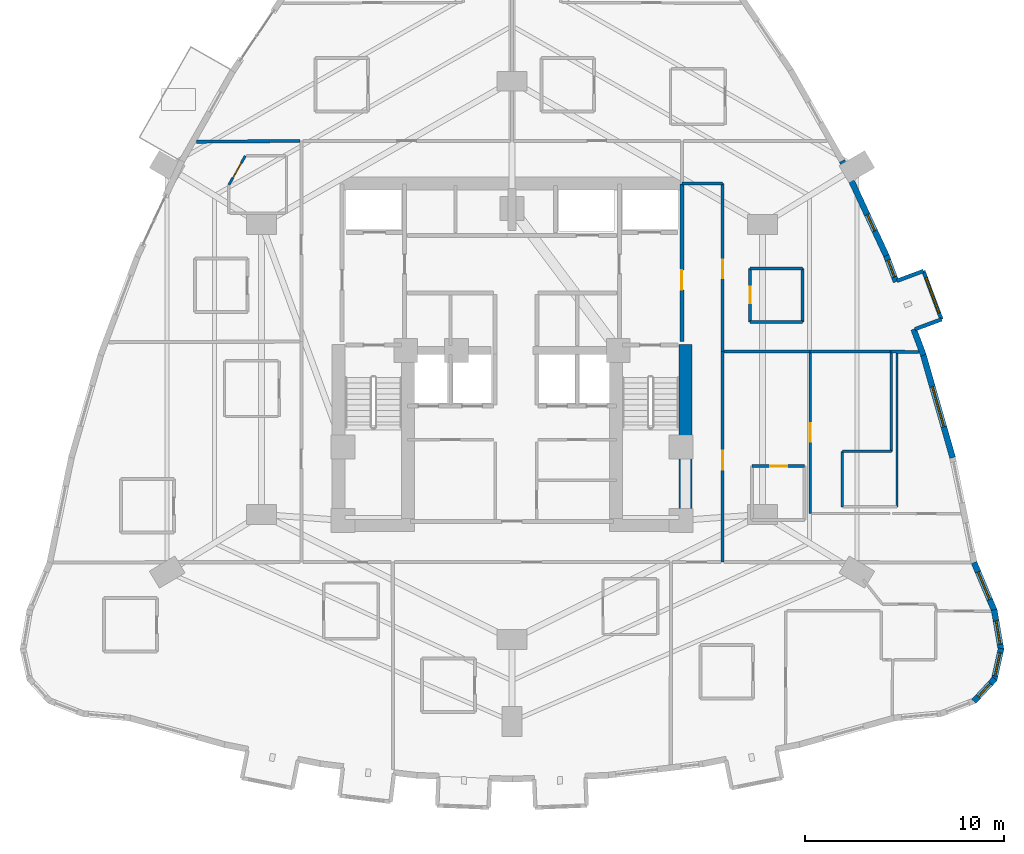
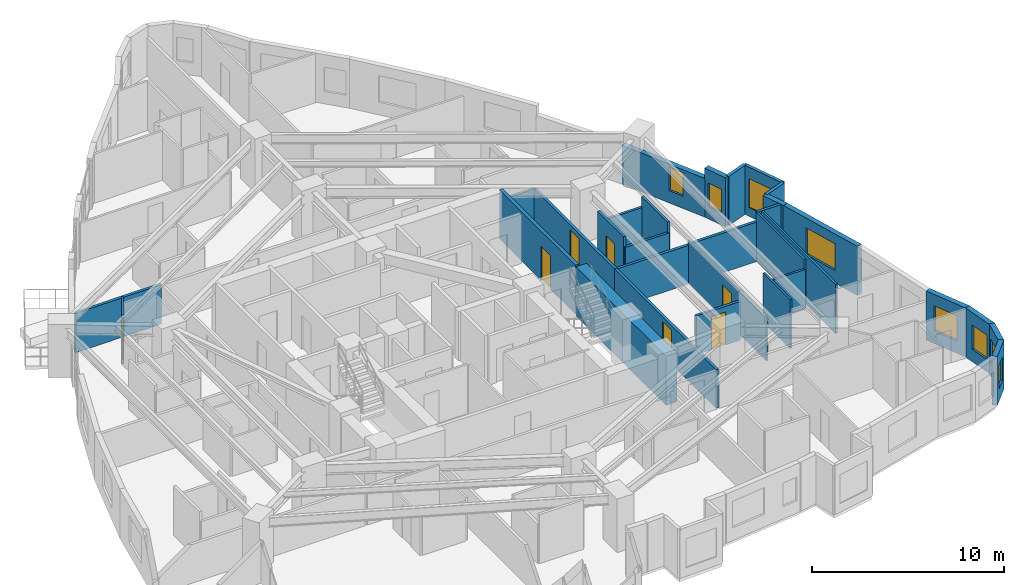
# One storey, part 14 of 17: 31 walls, 8 windows, 7 doors, 15 openings.
"""IFC4 building model written with IfcOpenShell, lengths in metres."""

from ifc_helpers import new_model, si_unit, direction, frame, frame_2d, origin, place, context, subcontext, project, spatial, rectangle, extrude, material, layer, layer_set, type_object, element, fill, save


model = new_model("IFC4")

# Units and contexts
model_context = context("Model", 3, precision=1e-05, world=origin(), true_north=direction((0.0, 1.0)))
body_context = subcontext(model_context, "Body", "Model", "MODEL_VIEW")
ifc_project = project(units=[si_unit("LENGTHUNIT", "METRE"), si_unit("AREAUNIT", "SQUARE_METRE"), si_unit("VOLUMEUNIT", "CUBIC_METRE"), si_unit("PLANEANGLEUNIT", "RADIAN"), si_unit("MASSUNIT", "GRAM", prefix="KILO")], contexts=[model_context])

# Site, building, storey
site_placement = place(None, origin())
site = spatial("IfcSite", under=ifc_project, at=site_placement, CompositionType="ELEMENT")
building_placement = place(site_placement, origin())
building = spatial("IfcBuilding", under=site, at=building_placement, Name="Miruveldt Soraemaru", CompositionType="ELEMENT")
storey_placement = place(building_placement, frame((0.0, 0.0, 53.0)))
storey = spatial("IfcBuildingStorey", under=building, at=storey_placement, Name="L14", CompositionType="ELEMENT", Elevation=53.0)

# Walls
ifc_material_1 = material(Name="White powder-coated aluminium EN AW-6060 T6", Category="aluminium")
ifc_layer_1 = layer(ifc_material_1, 0.18994140625, Name="White powder-coated aluminium EN AW-6060 T6", Category="aluminium")
ifc_layer_set_1 = layer_set([ifc_layer_1], Name="White powder-coated aluminium EN AW-6060 T6")
wall_type_1 = type_object("IfcWallType", Name="WALL-BAY-ALU190", PredefinedType="SOLIDWALL", material=ifc_layer_set_1)
for number, where, z_axis, x_axis, name in (
    (1, (64.279296875, 45.11962890625, 0.0), (0.0, 0.0, 1.0), (0.937073323404, 0.34913262031, 0.0), "L14 Bay Window Side Cheek 6L"),
    (2, (64.707275390625, 48.053466796875, 0.0), (0.0, 0.0, 1.0), (-0.937129361406, -0.348982177182, 0.0), "L14 Bay Window Side Cheek 6R"),
):
    element("IfcWall", number, at=place(storey_placement, frame(where, z_axis=z_axis, x_axis=x_axis)), inside=storey, type_object=wall_type_1, Name=name, PredefinedType="SOLIDWALL", context=body_context, shape_type="SweptSolid", body=[
        extrude(rectangle(XDim=1.425048828125, YDim=0.18994140625, at=frame_2d((0.71240234375, 0.0))), origin(), (0.0, 0.0, 1.0), 3.125),
    ])

# Wall, opening, window
wall_1_placement = place(storey_placement, frame((65.61474609375, 45.6171875, 0.0), z_axis=(0.0, 0.0, 1.0), x_axis=(-0.349054047709, 0.937102594051, 0.0)))
wall_1 = element("IfcWall", 3, at=wall_1_placement, inside=storey, type_object=wall_type_1, Name="L14 Bay Window Front Frame 6", PredefinedType="SOLIDWALL", context=body_context, shape_type="SweptSolid", body=[
    extrude(rectangle(XDim=2.599853515625, YDim=0.18994140625, at=frame_2d((1.2998046875, 0.0))), origin(), (0.0, 0.0, 1.0), 3.125),
])
opening_1_placement = place(wall_1_placement, frame((0.35009765625, 0.0, 0.550048828125)))
opening_1 = element("IfcOpeningElement", 4, at=opening_1_placement, cuts=wall_1, Name="Opening WN-6", PredefinedType="OPENING", context=body_context, shape_type="SweptSolid", body=[
    extrude(rectangle(XDim=1.89990234375, YDim=1.85009765625, at=frame_2d((0.949951171875, 0.925048828125))), frame((0.0, 0.10498046875, 0.0), z_axis=(0.0, -1.0, 0.0), x_axis=(1.0, 0.0, 0.0)), (0.0, 0.0, 1.0), 0.2099609375),
])
ifc_material_2 = material(Name="Triple low-e insulated glazing", Category="glass")
window_type_1 = type_object("IfcWindowType", Name="WIN-BAYW-1900x1850", PartitioningType="SINGLE_PANEL", PredefinedType="WINDOW", material=ifc_material_2)
window_1_placement = place(opening_1_placement, origin())
window_1 = element("IfcWindow", 5, at=window_1_placement, inside=storey, type_object=window_type_1, Name="L14 Projecting Bay Window 6", OverallHeight=1.85009765625, OverallWidth=1.89990234375, PartitioningType="SINGLE_PANEL", PredefinedType="WINDOW", context=body_context, shape_type="SweptSolid", body=[
    extrude(rectangle(XDim=1.89990234375, YDim=1.85009765625, at=frame_2d((0.949951171875, 0.925048828125))), frame((0.0, 0.030029296875, 0.0), z_axis=(0.0, -1.0, 0.0), x_axis=(1.0, 0.0, 0.0)), (0.0, 0.0, 1.0), 0.06005859375),
])
fill(opening_1, window_1)

# Wall
ifc_material_3 = material(Name="Concrete C80/95 (80 MPa)", Category="concrete")
ifc_layer_2 = layer(ifc_material_3, 0.64990234375, Name="Concrete C80/95 (80 MPa)", Category="concrete")
ifc_layer_set_2 = layer_set([ifc_layer_2], Name="Concrete C80/95 (80 MPa)")
wall_type_2 = type_object("IfcWallType", Name="WALL-CW-650", PredefinedType="SHEAR", material=ifc_layer_set_2)
wall_2_placement = place(storey_placement, frame((52.72509765625, 34.949951171875, 0.0), z_axis=(0.0, 0.0, 1.0), x_axis=(0.0, 1.0, 0.0)))
element("IfcWall", 6, at=wall_2_placement, inside=storey, type_object=wall_type_2, Name="L14 Central Core Shear Wall E1", PredefinedType="SHEAR", context=body_context, shape_type="SweptSolid", body=[
    extrude(rectangle(XDim=9.400146484375, YDim=0.64990234375, at=frame_2d((4.7001953125, 0.0))), origin(), (0.0, 0.0, 1.0), 3.125),
])

# Wall, opening, window
ifc_material_4 = material(Name="Precast concrete C45/55 (45 MPa)", Category="concrete")
ifc_layer_3 = layer(ifc_material_4, 0.300048828125, Name="Precast concrete C45/55 (45 MPa)", Category="concrete")
ifc_layer_set_3 = layer_set([ifc_layer_3], Name="Precast concrete C45/55 (45 MPa)")
wall_type_3 = type_object("IfcWallType", Name="WALL-EXT-PC300", PredefinedType="SOLIDWALL", material=ifc_layer_set_3)
wall_3_placement = place(storey_placement, frame((67.245849609375, 26.39599609375, 0.0), z_axis=(0.0, 0.0, 1.0), x_axis=(0.680166423381, 0.733057730677, 0.0)))
wall_3 = element("IfcWall", 7, at=wall_3_placement, inside=storey, type_object=wall_type_3, Name="L14 Precast Concrete Facade Wall 31", PredefinedType="SOLIDWALL", context=body_context, shape_type="SweptSolid", body=[
    extrude(rectangle(XDim=1.54638671875, YDim=0.300048828125, at=frame_2d((0.773193359375, 0.0))), origin(), (0.0, 0.0, 1.0), 3.125),
])
opening_2_placement = place(wall_3_placement, frame((0.322998046875, 0.0, 0.780029296875)))
opening_2 = element("IfcOpeningElement", 8, at=opening_2_placement, cuts=wall_3, Name="Opening WN-7", PredefinedType="OPENING", context=body_context, shape_type="SweptSolid", body=[
    extrude(rectangle(XDim=0.89990234375, YDim=1.5, at=frame_2d((0.449951171875, 0.75))), frame((0.0, 0.16015625, 0.0), z_axis=(0.0, -1.0, 0.0), x_axis=(1.0, 0.0, 0.0)), (0.0, 0.0, 1.0), 0.320068359375),
])
window_type_2 = type_object("IfcWindowType", Name="WIN-PUNCH-900x1500", PartitioningType="SINGLE_PANEL", PredefinedType="WINDOW", material=ifc_material_2)
window_2_placement = place(opening_2_placement, origin())
window_2 = element("IfcWindow", 9, at=window_2_placement, inside=storey, type_object=window_type_2, Name="L14 Punched Triple-Glazed Window 31.1", OverallHeight=1.5, OverallWidth=0.89990234375, PartitioningType="SINGLE_PANEL", PredefinedType="WINDOW", context=body_context, shape_type="SweptSolid", body=[
    extrude(rectangle(XDim=0.89990234375, YDim=1.5, at=frame_2d((0.449951171875, 0.75))), frame((0.0, 0.030029296875, 0.0), z_axis=(0.0, -1.0, 0.0), x_axis=(1.0, 0.0, 0.0)), (0.0, 0.0, 1.0), 0.06005859375),
])
fill(opening_2, window_2)

wall_4_placement = place(storey_placement, frame((68.26611328125, 27.469482421875, 0.0), z_axis=(0.0, 0.0, 1.0), x_axis=(0.21573476975, 0.976452000418, 0.0)))
wall_4 = element("IfcWall", 10, at=wall_4_placement, inside=storey, type_object=wall_type_3, Name="L14 Precast Concrete Facade Wall 32", PredefinedType="SOLIDWALL", context=body_context, shape_type="SweptSolid", body=[
    extrude(rectangle(XDim=1.62158203125, YDim=0.300048828125, at=frame_2d((0.810791015625, 0.0))), origin(), (0.0, 0.0, 1.0), 3.125),
])
opening_3_placement = place(wall_4_placement, frame((0.2109375, 0.0, 0.780029296875)))
opening_3 = element("IfcOpeningElement", 11, at=opening_3_placement, cuts=wall_4, Name="Opening WN-4", PredefinedType="OPENING", context=body_context, shape_type="SweptSolid", body=[
    extrude(rectangle(XDim=1.199951171875, YDim=1.550048828125, at=frame_2d((0.60009765625, 0.77490234375))), frame((0.0, 0.16015625, 0.0), z_axis=(0.0, -1.0, 0.0), x_axis=(1.0, 0.0, 0.0)), (0.0, 0.0, 1.0), 0.320068359375),
])
window_type_3 = type_object("IfcWindowType", Name="WIN-PUNCH-1200x1550", PartitioningType="SINGLE_PANEL", PredefinedType="WINDOW", material=ifc_material_2)
window_3_placement = place(opening_3_placement, origin())
window_3 = element("IfcWindow", 12, at=window_3_placement, inside=storey, type_object=window_type_3, Name="L14 Punched Triple-Glazed Window 32.1", OverallHeight=1.550048828125, OverallWidth=1.199951171875, PartitioningType="SINGLE_PANEL", PredefinedType="WINDOW", context=body_context, shape_type="SweptSolid", body=[
    extrude(rectangle(XDim=1.199951171875, YDim=1.550048828125, at=frame_2d((0.60009765625, 0.77490234375))), frame((0.0, 0.030029296875, 0.0), z_axis=(0.0, -1.0, 0.0), x_axis=(1.0, 0.0, 0.0)), (0.0, 0.0, 1.0), 0.06005859375),
])
fill(opening_3, window_3)

wall_5_placement = place(storey_placement, frame((68.6142578125, 28.984375, 0.0), z_axis=(0.0, 0.0, 1.0), x_axis=(-0.169291630141, 0.98556600183, 0.0)))
wall_5 = element("IfcWall", 13, at=wall_5_placement, inside=storey, type_object=wall_type_3, Name="L14 Precast Concrete Facade Wall 33", PredefinedType="SOLIDWALL", context=body_context, shape_type="SweptSolid", body=[
    extrude(rectangle(XDim=2.04638671875, YDim=0.300048828125, at=frame_2d((1.023193359375, 0.0))), origin(), (0.0, 0.0, 1.0), 3.125),
])
opening_4_placement = place(wall_5_placement, frame((0.27587890625, 0.0, 0.780029296875)))
opening_4 = element("IfcOpeningElement", 14, at=opening_4_placement, cuts=wall_5, Name="Opening WN-4", PredefinedType="OPENING", context=body_context, shape_type="SweptSolid", body=[
    extrude(rectangle(XDim=1.199951171875, YDim=1.550048828125, at=frame_2d((0.60009765625, 0.77490234375))), frame((0.0, 0.16015625, 0.0), z_axis=(0.0, -1.0, 0.0), x_axis=(1.0, 0.0, 0.0)), (0.0, 0.0, 1.0), 0.320068359375),
])
window_4_placement = place(opening_4_placement, origin())
window_4 = element("IfcWindow", 15, at=window_4_placement, inside=storey, type_object=window_type_3, Name="L14 Punched Triple-Glazed Window 33.1", OverallHeight=1.550048828125, OverallWidth=1.199951171875, PartitioningType="SINGLE_PANEL", PredefinedType="WINDOW", context=body_context, shape_type="SweptSolid", body=[
    extrude(rectangle(XDim=1.199951171875, YDim=1.550048828125, at=frame_2d((0.60009765625, 0.77490234375))), frame((0.0, 0.030029296875, 0.0), z_axis=(0.0, -1.0, 0.0), x_axis=(1.0, 0.0, 0.0)), (0.0, 0.0, 1.0), 0.06005859375),
])
fill(opening_4, window_4)

wall_6_placement = place(storey_placement, frame((68.287353515625, 30.9345703125, 0.0), z_axis=(0.0, 0.0, 1.0), x_axis=(-0.388616300532, 0.921399680356, 0.0)))
wall_6 = element("IfcWall", 16, at=wall_6_placement, inside=storey, type_object=wall_type_3, Name="L14 Precast Concrete Facade Wall 34", PredefinedType="SOLIDWALL", context=body_context, shape_type="SweptSolid", body=[
    extrude(rectangle(XDim=2.653564453125, YDim=0.300048828125, at=frame_2d((1.32666015625, 0.0))), origin(), (0.0, 0.0, 1.0), 3.125),
])
opening_5_placement = place(wall_6_placement, frame((0.636962890625, 0.0, 0.800048828125)))
opening_5 = element("IfcOpeningElement", 17, at=opening_5_placement, cuts=wall_6, Name="Opening WN-3", PredefinedType="OPENING", context=body_context, shape_type="SweptSolid", body=[
    extrude(rectangle(XDim=1.5, YDim=1.60009765625, at=frame_2d((0.75, 0.800048828125))), frame((0.0, 0.16015625, 0.0), z_axis=(0.0, -1.0, 0.0), x_axis=(1.0, 0.0, 0.0)), (0.0, 0.0, 1.0), 0.320068359375),
])
window_type_4 = type_object("IfcWindowType", Name="WIN-PUNCH-1500x1600", PartitioningType="SINGLE_PANEL", PredefinedType="WINDOW", material=ifc_material_2)
window_5_placement = place(opening_5_placement, origin())
window_5 = element("IfcWindow", 18, at=window_5_placement, inside=storey, type_object=window_type_4, Name="L14 Punched Triple-Glazed Window 34.1", OverallHeight=1.60009765625, OverallWidth=1.5, PartitioningType="SINGLE_PANEL", PredefinedType="WINDOW", context=body_context, shape_type="SweptSolid", body=[
    extrude(rectangle(XDim=1.5, YDim=1.60009765625, at=frame_2d((0.75, 0.800048828125))), frame((0.0, 0.030029296875, 0.0), z_axis=(0.0, -1.0, 0.0), x_axis=(1.0, 0.0, 0.0)), (0.0, 0.0, 1.0), 0.06005859375),
])
fill(opening_5, window_5)

wall_7_placement = place(storey_placement, frame((66.1796875, 38.65625, 0.0), z_axis=(0.0, 0.0, 1.0), x_axis=(-0.274929090482, 0.961464505432, 0.0)))
wall_7 = element("IfcWall", 19, at=wall_7_placement, inside=storey, type_object=wall_type_3, Name="L14 Precast Concrete Facade Wall 36", PredefinedType="SOLIDWALL", context=body_context, shape_type="SweptSolid", body=[
    extrude(rectangle(XDim=5.4267578125, YDim=0.300048828125, at=frame_2d((2.71337890625, 0.0))), origin(), (0.0, 0.0, 1.0), 3.125),
])
opening_6_placement = place(wall_7_placement, frame((1.618896484375, 0.0, 0.800048828125)))
opening_6 = element("IfcOpeningElement", 20, at=opening_6_placement, cuts=wall_7, Name="Opening WN-1", PredefinedType="OPENING", context=body_context, shape_type="SweptSolid", body=[
    extrude(rectangle(XDim=2.10009765625, YDim=1.699951171875, at=frame_2d((1.050048828125, 0.85009765625))), frame((0.0, 0.16015625, 0.0), z_axis=(0.0, -1.0, 0.0), x_axis=(1.0, 0.0, 0.0)), (0.0, 0.0, 1.0), 0.320068359375),
])
window_type_5 = type_object("IfcWindowType", Name="WIN-PUNCH-2100x1700", PartitioningType="SINGLE_PANEL", PredefinedType="WINDOW", material=ifc_material_2)
window_6_placement = place(opening_6_placement, origin())
window_6 = element("IfcWindow", 21, at=window_6_placement, inside=storey, type_object=window_type_5, Name="L14 Punched Triple-Glazed Window 36.1", OverallHeight=1.699951171875, OverallWidth=2.10009765625, PartitioningType="SINGLE_PANEL", PredefinedType="WINDOW", context=body_context, shape_type="SweptSolid", body=[
    extrude(rectangle(XDim=2.10009765625, YDim=1.699951171875, at=frame_2d((1.050048828125, 0.85009765625))), frame((0.0, 0.030029296875, 0.0), z_axis=(0.0, -1.0, 0.0), x_axis=(1.0, 0.0, 0.0)), (0.0, 0.0, 1.0), 0.06005859375),
])
fill(opening_6, window_6)

# Wall
wall_8_placement = place(storey_placement, frame((64.70947265625, 43.80712890625, 0.0), z_axis=(0.0, 0.0, 1.0), x_axis=(-0.349016615003, 0.937116536217, 0.0)))
element("IfcWall", 22, at=wall_8_placement, inside=storey, type_object=wall_type_3, Name="L14 Precast Pier Wall 37A", PredefinedType="SOLIDWALL", context=body_context, shape_type="SweptSolid", body=[
    extrude(rectangle(XDim=1.41015625, YDim=0.300048828125, at=frame_2d((0.705078125, 0.0))), origin(), (0.0, 0.0, 1.0), 3.125),
])

# Wall, opening, window
wall_9_placement = place(storey_placement, frame((63.330810546875, 47.5087890625, 0.0), z_axis=(0.0, 0.0, 1.0), x_axis=(-0.349073246867, 0.937095442483, 0.0)))
wall_9 = element("IfcWall", 23, at=wall_9_placement, inside=storey, type_object=wall_type_3, Name="L14 Precast Pier Wall 37B", PredefinedType="SOLIDWALL", context=body_context, shape_type="SweptSolid", body=[
    extrude(rectangle(XDim=1.409912109375, YDim=0.300048828125, at=frame_2d((0.705078125, 0.0))), origin(), (0.0, 0.0, 1.0), 3.125),
])
opening_7_placement = place(wall_9_placement, frame((0.2548828125, 0.0, 0.780029296875)))
opening_7 = element("IfcOpeningElement", 24, at=opening_7_placement, cuts=wall_9, Name="Opening WN-7", PredefinedType="OPENING", context=body_context, shape_type="SweptSolid", body=[
    extrude(rectangle(XDim=0.89990234375, YDim=1.5, at=frame_2d((0.449951171875, 0.75))), frame((0.0, 0.16015625, 0.0), z_axis=(0.0, -1.0, 0.0), x_axis=(1.0, 0.0, 0.0)), (0.0, 0.0, 1.0), 0.320068359375),
])
window_7_placement = place(opening_7_placement, origin())
window_7 = element("IfcWindow", 25, at=window_7_placement, inside=storey, type_object=window_type_2, Name="L14 Punched Triple-Glazed Window 37B.1", OverallHeight=1.5, OverallWidth=0.89990234375, PartitioningType="SINGLE_PANEL", PredefinedType="WINDOW", context=body_context, shape_type="SweptSolid", body=[
    extrude(rectangle(XDim=0.89990234375, YDim=1.5, at=frame_2d((0.449951171875, 0.75))), frame((0.0, 0.030029296875, 0.0), z_axis=(0.0, -1.0, 0.0), x_axis=(1.0, 0.0, 0.0)), (0.0, 0.0, 1.0), 0.06005859375),
])
fill(opening_7, window_7)

wall_10_placement = place(storey_placement, frame((62.86572265625, 48.765625, 0.0), z_axis=(0.0, 0.0, 1.0), x_axis=(-0.422310787564, 0.906451101112, 0.0)))
wall_10 = element("IfcWall", 26, at=wall_10_placement, inside=storey, type_object=wall_type_3, Name="L14 Precast Concrete Facade Wall 38", PredefinedType="SOLIDWALL", context=body_context, shape_type="SweptSolid", body=[
    extrude(rectangle(XDim=5.32666015625, YDim=0.300048828125, at=frame_2d((2.663330078125, 0.0))), origin(), (0.0, 0.0, 1.0), 2.462890625),
])
opening_8_placement = place(wall_10_placement, frame((1.43896484375, 0.0, 0.780029296875)))
opening_8 = element("IfcOpeningElement", 27, at=opening_8_placement, cuts=wall_10, Name="Opening WN-7", PredefinedType="OPENING", context=body_context, shape_type="SweptSolid", body=[
    extrude(rectangle(XDim=0.89990234375, YDim=1.5, at=frame_2d((0.449951171875, 0.75))), frame((0.0, 0.16015625, 0.0), z_axis=(0.0, -1.0, 0.0), x_axis=(1.0, 0.0, 0.0)), (0.0, 0.0, 1.0), 0.320068359375),
])
window_8_placement = place(opening_8_placement, origin())
window_8 = element("IfcWindow", 28, at=window_8_placement, inside=storey, type_object=window_type_2, Name="L14 Punched Triple-Glazed Window 38.1", OverallHeight=1.5, OverallWidth=0.89990234375, PartitioningType="SINGLE_PANEL", PredefinedType="WINDOW", context=body_context, shape_type="SweptSolid", body=[
    extrude(rectangle(XDim=0.89990234375, YDim=1.5, at=frame_2d((0.449951171875, 0.75))), frame((0.0, 0.030029296875, 0.0), z_axis=(0.0, -1.0, 0.0), x_axis=(1.0, 0.0, 0.0)), (0.0, 0.0, 1.0), 0.06005859375),
])
fill(opening_8, window_8)

# Wall, opening, door
ifc_material_5 = material(Name="Gypsum plasterboard lining", Category="gypsum")
ifc_layer_4 = layer(ifc_material_5, 0.1201171875, Name="Gypsum plasterboard lining", Category="gypsum")
ifc_layer_set_4 = layer_set([ifc_layer_4], Name="Gypsum plasterboard lining")
wall_type_4 = type_object("IfcWallType", Name="WALL-INT-P120", PredefinedType="PARTITIONING", material=ifc_layer_set_4)
wall_11_placement = place(storey_placement, frame((59.001953125, 35.85009765625, 0.0), z_axis=(0.0, 0.0, 1.0), x_axis=(0.0, 1.0, 0.0)))
wall_11 = element("IfcWall", 29, at=wall_11_placement, inside=storey, type_object=wall_type_4, Name="L14 Partition Wall 67", PredefinedType="PARTITIONING", context=body_context, shape_type="SweptSolid", body=[
    extrude(rectangle(XDim=8.14990234375, YDim=0.1201171875, at=frame_2d((4.074951171875, 0.0))), origin(), (0.0, 0.0, 1.0), 2.712890625),
])
opening_9_placement = place(wall_11_placement, frame((3.614990234375, 0.0, 0.0)))
opening_9 = element("IfcOpeningElement", 30, at=opening_9_placement, cuts=wall_11, Name="Opening D3A", PredefinedType="OPENING", context=body_context, shape_type="SweptSolid", body=[
    extrude(rectangle(XDim=0.919921875, YDim=2.10009765625, at=frame_2d((0.4599609375, 1.050048828125))), frame((0.0, 0.070068359375, 0.0), z_axis=(0.0, -1.0, 0.0), x_axis=(1.0, 0.0, 0.0)), (0.0, 0.0, 1.0), 0.14013671875),
])
ifc_material_6 = material(Name="Anodised aluminium EN AW-6063 T6", Category="aluminium")
door_type_1 = type_object("IfcDoorType", Name="DOOR-INT-920", OperationType="NOTDEFINED", PredefinedType="DOOR", material=ifc_material_6)
door_1_placement = place(opening_9_placement, origin())
door_1 = element("IfcDoor", 31, at=door_1_placement, inside=storey, type_object=door_type_1, Name="L14 Unit 1405 BD1 Door", OperationType="SINGLE_SWING_RIGHT", OverallHeight=2.10009765625, OverallWidth=0.919921875, PredefinedType="DOOR", context=body_context, shape_type="SweptSolid", body=[
    extrude(rectangle(XDim=0.919921875, YDim=2.10009765625, at=frame_2d((0.4599609375, 1.050048828125))), frame((0.0, 0.02490234375, 0.0), z_axis=(0.0, -1.0, 0.0), x_axis=(1.0, 0.0, 0.0)), (0.0, 0.0, 1.0), 0.050048828125),
])
fill(opening_9, door_1)

wall_12_placement = place(storey_placement, frame((29.75, 52.388916015625, 0.0), z_axis=(0.0, 0.0, 1.0), x_axis=(0.493507485386, 0.869741548891, 0.0)))
wall_12 = element("IfcWall", 32, at=wall_12_placement, inside=storey, type_object=wall_type_4, Name="L14 Partition Wall 49", PredefinedType="PARTITIONING", context=body_context, shape_type="SweptSolid", body=[
    extrude(rectangle(XDim=1.679931640625, YDim=0.1201171875, at=frame_2d((0.83984375, 0.0))), origin(), (0.0, 0.0, 1.0), 3.125),
])
opening_10_placement = place(wall_12_placement, frame((0.409912109375, 0.0, 0.0)))
opening_10 = element("IfcOpeningElement", 33, at=opening_10_placement, cuts=wall_12, Name="Opening FD3", PredefinedType="OPENING", context=body_context, shape_type="SweptSolid", body=[
    extrude(rectangle(XDim=0.85009765625, YDim=2.10009765625, at=frame_2d((0.425048828125, 1.050048828125))), frame((0.0, 0.070068359375, 0.0), z_axis=(0.0, -1.0, 0.0), x_axis=(1.0, 0.0, 0.0)), (0.0, 0.0, 1.0), 0.14013671875),
])
door_type_2 = type_object("IfcDoorType", Name="DOOR-FD3-850", OperationType="NOTDEFINED", PredefinedType="DOOR", material=ifc_material_6)
door_2_placement = place(opening_10_placement, origin())
door_2 = element("IfcDoor", 34, at=door_2_placement, inside=storey, type_object=door_type_2, Name="L14 Unit 1403 KIT Door", OperationType="SINGLE_SWING_RIGHT", OverallHeight=2.10009765625, OverallWidth=0.85009765625, PredefinedType="DOOR", context=body_context, shape_type="SweptSolid", body=[
    extrude(rectangle(XDim=0.85009765625, YDim=2.10009765625, at=frame_2d((0.425048828125, 1.050048828125))), frame((0.0, 0.02490234375, 0.0), z_axis=(0.0, -1.0, 0.0), x_axis=(1.0, 0.0, 0.0)), (0.0, 0.0, 1.0), 0.050048828125),
])
fill(opening_10, door_2)

# Walls
wall_13_placement = place(storey_placement, frame((63.3798828125, 36.179931640625, 0.0), z_axis=(0.0, 0.0, 1.0), x_axis=(0.0, 1.0, 0.0)))
element("IfcWall", 35, at=wall_13_placement, inside=storey, type_object=wall_type_4, Name="L14 Partition Wall 110", PredefinedType="PARTITIONING", context=body_context, shape_type="SweptSolid", body=[
    extrude(rectangle(XDim=7.7470703125, YDim=0.1201171875, at=frame_2d((3.87353515625, 0.0))), origin(), (0.0, 0.0, 1.0), 3.125),
])
wall_14_placement = place(storey_placement, frame((63.089111328125, 38.97998046875, 0.0), z_axis=(0.0, 0.0, 1.0), x_axis=(0.0, 1.0, 0.0)))
element("IfcWall", 36, at=wall_14_placement, inside=storey, type_object=wall_type_4, Name="L14 Partition Wall 71", PredefinedType="PARTITIONING", context=body_context, shape_type="SweptSolid", body=[
    extrude(rectangle(XDim=5.02001953125, YDim=0.1201171875, at=frame_2d((2.510009765625, 0.0))), origin(), (0.0, 0.0, 1.0), 3.125),
])
wall_15_placement = place(storey_placement, frame((60.6298828125, 38.97998046875, 0.0), z_axis=(0.0, 0.0, 1.0), x_axis=(0.0, -1.0, 0.0)))
element("IfcWall", 37, at=wall_15_placement, inside=storey, type_object=wall_type_4, Name="L14 Partition Wall 108", PredefinedType="PARTITIONING", context=body_context, shape_type="SweptSolid", body=[
    extrude(rectangle(XDim=2.800048828125, YDim=0.1201171875, at=frame_2d((1.39990234375, 0.0))), origin(), (0.0, 0.0, 1.0), 3.125),
])
wall_16_placement = place(storey_placement, frame((63.089111328125, 38.97998046875, 0.0), z_axis=(0.0, 0.0, 1.0), x_axis=(-1.0, 0.0, 0.0)))
element("IfcWall", 38, at=wall_16_placement, inside=storey, type_object=wall_type_4, Name="L14 Partition Wall 107", PredefinedType="PARTITIONING", context=body_context, shape_type="SweptSolid", body=[
    extrude(rectangle(XDim=2.459228515625, YDim=0.1201171875, at=frame_2d((1.2294921875, 0.0))), origin(), (0.0, 0.0, 1.0), 2.512939453125),
])

# Wall, opening, door
ifc_layer_5 = layer(ifc_material_5, 0.14990234375, Name="Gypsum plasterboard lining", Category="gypsum")
ifc_layer_set_5 = layer_set([ifc_layer_5], Name="Gypsum plasterboard lining")
wall_type_5 = type_object("IfcWallType", Name="WALL-INT-PLUMB", PredefinedType="PLUMBINGWALL", material=ifc_layer_set_5)
wall_17_placement = place(storey_placement, frame((55.98193359375, 48.179931640625, 0.0), z_axis=(0.0, 0.0, 1.0), x_axis=(0.0, -1.0, 0.0)))
wall_17 = element("IfcWall", 39, at=wall_17_placement, inside=storey, type_object=wall_type_5, Name="L14 Partition Wall 74", PredefinedType="PLUMBINGWALL", context=body_context, shape_type="SweptSolid", body=[
    extrude(rectangle(XDim=2.699951171875, YDim=0.14990234375, at=frame_2d((1.35009765625, 0.0))), origin(), (0.0, 0.0, 1.0), 3.125),
])
opening_11_placement = place(wall_17_placement, frame((0.909912109375, 0.0, 0.0)))
opening_11 = element("IfcOpeningElement", 40, at=opening_11_placement, cuts=wall_17, Name="Opening FD3", PredefinedType="OPENING", context=body_context, shape_type="SweptSolid", body=[
    extrude(rectangle(XDim=0.85009765625, YDim=2.10009765625, at=frame_2d((0.425048828125, 1.050048828125))), frame((0.0, 0.0849609375, 0.0), z_axis=(0.0, -1.0, 0.0), x_axis=(1.0, 0.0, 0.0)), (0.0, 0.0, 1.0), 0.169921875),
])
door_3_placement = place(opening_11_placement, origin())
door_3 = element("IfcDoor", 41, at=door_3_placement, inside=storey, type_object=door_type_2, Name="L14 Unit CL06 BTH Door", OperationType="SINGLE_SWING_LEFT", OverallHeight=2.10009765625, OverallWidth=0.85009765625, PredefinedType="DOOR", context=body_context, shape_type="SweptSolid", body=[
    extrude(rectangle(XDim=0.85009765625, YDim=2.10009765625, at=frame_2d((0.425048828125, 1.050048828125))), frame((0.0, 0.02490234375, 0.0), z_axis=(0.0, -1.0, 0.0), x_axis=(1.0, 0.0, 0.0)), (0.0, 0.0, 1.0), 0.050048828125),
])
fill(opening_11, door_3)

wall_18_placement = place(storey_placement, frame((58.72998046875, 38.22998046875, 0.0), z_axis=(0.0, 0.0, 1.0), x_axis=(-1.0, 0.0, 0.0)))
wall_18 = element("IfcWall", 42, at=wall_18_placement, inside=storey, type_object=wall_type_5, Name="L14 Partition Wall 63", PredefinedType="PLUMBINGWALL", context=body_context, shape_type="SweptSolid", body=[
    extrude(rectangle(XDim=2.64990234375, YDim=0.14990234375, at=frame_2d((1.324951171875, 0.0))), origin(), (0.0, 0.0, 1.0), 2.462890625),
])
opening_12_placement = place(wall_18_placement, frame((0.885009765625, 0.0, 0.0)))
opening_12 = element("IfcOpeningElement", 43, at=opening_12_placement, cuts=wall_18, Name="Opening FD3", PredefinedType="OPENING", context=body_context, shape_type="SweptSolid", body=[
    extrude(rectangle(XDim=0.85009765625, YDim=2.10009765625, at=frame_2d((0.425048828125, 1.050048828125))), frame((0.0, 0.0849609375, 0.0), z_axis=(0.0, -1.0, 0.0), x_axis=(1.0, 0.0, 0.0)), (0.0, 0.0, 1.0), 0.169921875),
])
door_4_placement = place(opening_12_placement, origin())
door_4 = element("IfcDoor", 44, at=door_4_placement, inside=storey, type_object=door_type_2, Name="L14 Unit 1405 BTH Door", OperationType="SINGLE_SWING_LEFT", OverallHeight=2.10009765625, OverallWidth=0.85009765625, PredefinedType="DOOR", context=body_context, shape_type="SweptSolid", body=[
    extrude(rectangle(XDim=0.85009765625, YDim=2.10009765625, at=frame_2d((0.425048828125, 1.050048828125))), frame((0.0, 0.02490234375, 0.0), z_axis=(0.0, -1.0, 0.0), x_axis=(1.0, 0.0, 0.0)), (0.0, 0.0, 1.0), 0.050048828125),
])
fill(opening_12, door_4)

# Walls
wall_19_placement = place(storey_placement, frame((58.632080078125, 45.47998046875, 0.0), z_axis=(0.0, 0.0, 1.0), x_axis=(0.0, 1.0, 0.0)))
element("IfcWall", 45, at=wall_19_placement, inside=storey, type_object=wall_type_5, Name="L14 Partition Wall 111", PredefinedType="PLUMBINGWALL", context=body_context, shape_type="SweptSolid", body=[
    extrude(rectangle(XDim=2.699951171875, YDim=0.14990234375, at=frame_2d((1.35009765625, 0.0))), origin(), (0.0, 0.0, 1.0), 3.125),
])
for number, where, z_axis, x_axis, name in (
    (46, (55.98193359375, 45.47998046875, 0.0), (0.0, 0.0, 1.0), (1.0, 0.0, 0.0), "L14 Partition Wall 75"),
    (47, (58.632080078125, 48.179931640625, 0.0), (0.0, 0.0, 1.0), (-1.0, 0.0, 0.0), "L14 Partition Wall 112"),
):
    element("IfcWall", number, at=place(storey_placement, frame(where, z_axis=z_axis, x_axis=x_axis)), inside=storey, type_object=wall_type_5, Name=name, PredefinedType="PLUMBINGWALL", context=body_context, shape_type="SweptSolid", body=[
        extrude(rectangle(XDim=2.650146484375, YDim=0.14990234375, at=frame_2d((1.3251953125, 0.0))), origin(), (0.0, 0.0, 1.0), 2.462890625),
    ])

# Wall, opening, door
ifc_material_7 = material(Name="Concrete C40/50 (40 MPa)", Category="concrete")
ifc_layer_6 = layer(ifc_material_7, 0.159912109375, Name="Concrete C40/50 (40 MPa)", Category="concrete")
ifc_layer_set_6 = layer_set([ifc_layer_6], Name="Concrete C40/50 (40 MPa)")
wall_type_6 = type_object("IfcWallType", Name="WALL-INT-RC160", PredefinedType="SOLIDWALL", material=ifc_layer_set_6)
wall_20_placement = place(storey_placement, frame((54.60009765625, 33.405029296875, 0.0), z_axis=(0.0, 0.0, 1.0), x_axis=(0.0, 1.0, 0.0)))
wall_20 = element("IfcWall", 48, at=wall_20_placement, inside=storey, type_object=wall_type_6, Name="L14 Partition Wall 5", PredefinedType="SOLIDWALL", context=body_context, shape_type="SweptSolid", body=[
    extrude(rectangle(XDim=10.592041015625, YDim=0.159912109375, at=frame_2d((5.2958984375, 0.0))), origin(), (0.0, 0.0, 1.0), 2.462890625),
])
opening_13_placement = place(wall_20_placement, frame((4.64111328125, 0.0, 0.0)))
opening_13 = element("IfcOpeningElement", 49, at=opening_13_placement, cuts=wall_20, Name="Opening FD2", PredefinedType="OPENING", context=body_context, shape_type="SweptSolid", body=[
    extrude(rectangle(XDim=0.949951171875, YDim=2.14990234375, at=frame_2d((0.47509765625, 1.074951171875))), frame((0.0, 0.08984375, 0.0), z_axis=(0.0, -1.0, 0.0), x_axis=(1.0, 0.0, 0.0)), (0.0, 0.0, 1.0), 0.179931640625),
])
door_type_3 = type_object("IfcDoorType", Name="DOOR-FD2-950", OperationType="NOTDEFINED", PredefinedType="DOOR", material=ifc_material_6)
door_5_placement = place(opening_13_placement, origin())
door_5 = element("IfcDoor", 50, at=door_5_placement, inside=storey, type_object=door_type_3, Name="L14 Unit 1405 Entrance Fire Door", OperationType="SINGLE_SWING_RIGHT", OverallHeight=2.14990234375, OverallWidth=0.949951171875, PredefinedType="DOOR", context=body_context, shape_type="SweptSolid", body=[
    extrude(rectangle(XDim=0.949951171875, YDim=2.14990234375, at=frame_2d((0.47509765625, 1.074951171875))), frame((0.0, 0.02490234375, 0.0), z_axis=(0.0, -1.0, 0.0), x_axis=(1.0, 0.0, 0.0)), (0.0, 0.0, 1.0), 0.050048828125),
])
fill(opening_13, door_5)

wall_21_placement = place(storey_placement, frame((54.60009765625, 44.0, 0.0), z_axis=(0.0, 0.0, 1.0), x_axis=(0.0, 1.0, 0.0)))
wall_21 = element("IfcWall", 51, at=wall_21_placement, inside=storey, type_object=wall_type_6, Name="L14 Partition Wall 6", PredefinedType="SOLIDWALL", context=body_context, shape_type="SweptSolid", body=[
    extrude(rectangle(XDim=8.449951171875, YDim=0.159912109375, at=frame_2d((4.22509765625, 0.0))), origin(), (0.0, 0.0, 1.0), 2.462890625),
])
opening_14_placement = place(wall_21_placement, frame((3.679931640625, 0.0, 0.0)))
opening_14 = element("IfcOpeningElement", 52, at=opening_14_placement, cuts=wall_21, Name="Opening FD2", PredefinedType="OPENING", context=body_context, shape_type="SweptSolid", body=[
    extrude(rectangle(XDim=0.949951171875, YDim=2.14990234375, at=frame_2d((0.47509765625, 1.074951171875))), frame((0.0, 0.08984375, 0.0), z_axis=(0.0, -1.0, 0.0), x_axis=(1.0, 0.0, 0.0)), (0.0, 0.0, 1.0), 0.179931640625),
])
door_6_placement = place(opening_14_placement, origin())
door_6 = element("IfcDoor", 53, at=door_6_placement, inside=storey, type_object=door_type_3, Name="L14 Unit CL06 Entrance Fire Door", OperationType="SINGLE_SWING_RIGHT", OverallHeight=2.14990234375, OverallWidth=0.949951171875, PredefinedType="DOOR", context=body_context, shape_type="SweptSolid", body=[
    extrude(rectangle(XDim=0.949951171875, YDim=2.14990234375, at=frame_2d((0.47509765625, 1.074951171875))), frame((0.0, 0.02490234375, 0.0), z_axis=(0.0, -1.0, 0.0), x_axis=(1.0, 0.0, 0.0)), (0.0, 0.0, 1.0), 0.050048828125),
])
fill(opening_14, door_6)

# Walls
wall_22_placement = place(storey_placement, frame((28.1240234375, 54.55810546875, 0.0), z_axis=(0.0, 0.0, 1.0), x_axis=(0.999968846806, 0.007893378108, 0.0)))
element("IfcWall", 54, at=wall_22_placement, inside=storey, type_object=wall_type_6, Name="L14 Partition Wall 24", PredefinedType="SOLIDWALL", context=body_context, shape_type="SweptSolid", body=[
    extrude(rectangle(XDim=5.1962890625, YDim=0.159912109375, at=frame_2d((2.59814453125, 0.0))), origin(), (0.0, 0.0, 1.0), 2.512939453125),
])
wall_23_placement = place(storey_placement, frame((59.011962890625, 44.0, 0.0), z_axis=(0.0, 0.0, 1.0), x_axis=(-1.0, 0.0, 0.0)))
element("IfcWall", 55, at=wall_23_placement, inside=storey, type_object=wall_type_6, Name="L14 Partition Wall 69", PredefinedType="SOLIDWALL", context=body_context, shape_type="SweptSolid", body=[
    extrude(rectangle(XDim=4.33203125, YDim=0.159912109375, at=frame_2d((2.166015625, 0.0))), origin(), (0.0, 0.0, 1.0), 2.462890625),
])
wall_24_placement = place(storey_placement, frame((63.09912109375, 44.0, 0.0), z_axis=(0.0, 0.0, 1.0), x_axis=(-1.0, 0.0, 0.0)))
element("IfcWall", 56, at=wall_24_placement, inside=storey, type_object=wall_type_6, Name="L14 Partition Wall 72", PredefinedType="SOLIDWALL", context=body_context, shape_type="SweptSolid", body=[
    extrude(rectangle(XDim=4.107177734375, YDim=0.159912109375, at=frame_2d((2.0537109375, 0.0))), origin(), (0.0, 0.0, 1.0), 2.512939453125),
])
wall_25_placement = place(storey_placement, frame((54.60009765625, 52.449951171875, 0.0), z_axis=(0.0, 0.0, 1.0), x_axis=(-1.0, 0.0, 0.0)))
element("IfcWall", 57, at=wall_25_placement, inside=storey, type_object=wall_type_6, Name="L14 Partition Wall 7", PredefinedType="SOLIDWALL", context=body_context, shape_type="SweptSolid", body=[
    extrude(rectangle(XDim=2.050048828125, YDim=0.159912109375, at=frame_2d((1.02490234375, 0.0))), origin(), (0.0, 0.0, 1.0), 2.462890625),
])
wall_26_placement = place(storey_placement, frame((64.472900390625, 43.969970703125, 0.0), z_axis=(0.0, 0.0, 1.0), x_axis=(-0.999797178749, 0.020139547304, 0.0)))
element("IfcWall", 58, at=wall_26_placement, inside=storey, type_object=wall_type_6, Name="L14 Partition Wall 73", PredefinedType="SOLIDWALL", context=body_context, shape_type="SweptSolid", body=[
    extrude(rectangle(XDim=1.39404296875, YDim=0.159912109375, at=frame_2d((0.697021484375, 0.0))), origin(), (0.0, 0.0, 1.0), 3.125),
])

# Wall, opening, door
ifc_layer_7 = layer(ifc_material_7, 0.199951171875, Name="Concrete C40/50 (40 MPa)", Category="concrete")
ifc_layer_set_7 = layer_set([ifc_layer_7], Name="Concrete C40/50 (40 MPa)")
wall_type_7 = type_object("IfcWallType", Name="WALL-INT-RC200", PredefinedType="SOLIDWALL", material=ifc_layer_set_7)
wall_27_placement = place(storey_placement, frame((52.550048828125, 44.5, 0.0), z_axis=(0.0, 0.0, 1.0), x_axis=(0.0, 1.0, 0.0)))
wall_27 = element("IfcWall", 59, at=wall_27_placement, inside=storey, type_object=wall_type_7, Name="L14 Core Compartment Wall FFE-OUT", PredefinedType="SOLIDWALL", context=body_context, shape_type="SweptSolid", body=[
    extrude(rectangle(XDim=7.919921875, YDim=0.199951171875, at=frame_2d((3.9599609375, 0.0))), origin(), (0.0, 0.0, 1.0), 3.125),
])
opening_15_placement = place(wall_27_placement, frame((2.60009765625, 0.0, 0.0)))
opening_15 = element("IfcOpeningElement", 60, at=opening_15_placement, cuts=wall_27, Name="Opening FD1", PredefinedType="OPENING", context=body_context, shape_type="SweptSolid", body=[
    extrude(rectangle(XDim=1.0, YDim=2.14990234375, at=frame_2d((0.5, 1.074951171875))), frame((0.0, 0.10986328125, 0.0), z_axis=(0.0, -1.0, 0.0), x_axis=(1.0, 0.0, 0.0)), (0.0, 0.0, 1.0), 0.219970703125),
])
door_type_4 = type_object("IfcDoorType", Name="DOOR-FD1-1000", OperationType="NOTDEFINED", PredefinedType="DOOR", material=ifc_material_6)
door_7_placement = place(opening_15_placement, frame((1.0, 0.0, 0.0), z_axis=(0.0, 0.0, 1.0), x_axis=(-1.0, 0.0, 0.0)))
door_7 = element("IfcDoor", 61, at=door_7_placement, inside=storey, type_object=door_type_4, Name="L14 East Firefighting Lobby Exit Door", OperationType="SINGLE_SWING_RIGHT", OverallHeight=2.14990234375, OverallWidth=1.0, PredefinedType="DOOR", context=body_context, shape_type="SweptSolid", body=[
    extrude(rectangle(XDim=1.0, YDim=2.14990234375, at=frame_2d((0.5, 1.074951171875))), frame((0.0, 0.02490234375, 0.0), z_axis=(0.0, -1.0, 0.0), x_axis=(1.0, 0.0, 0.0)), (0.0, 0.0, 1.0), 0.050048828125),
])
fill(opening_15, door_7)

save(model, "model.ifc")
